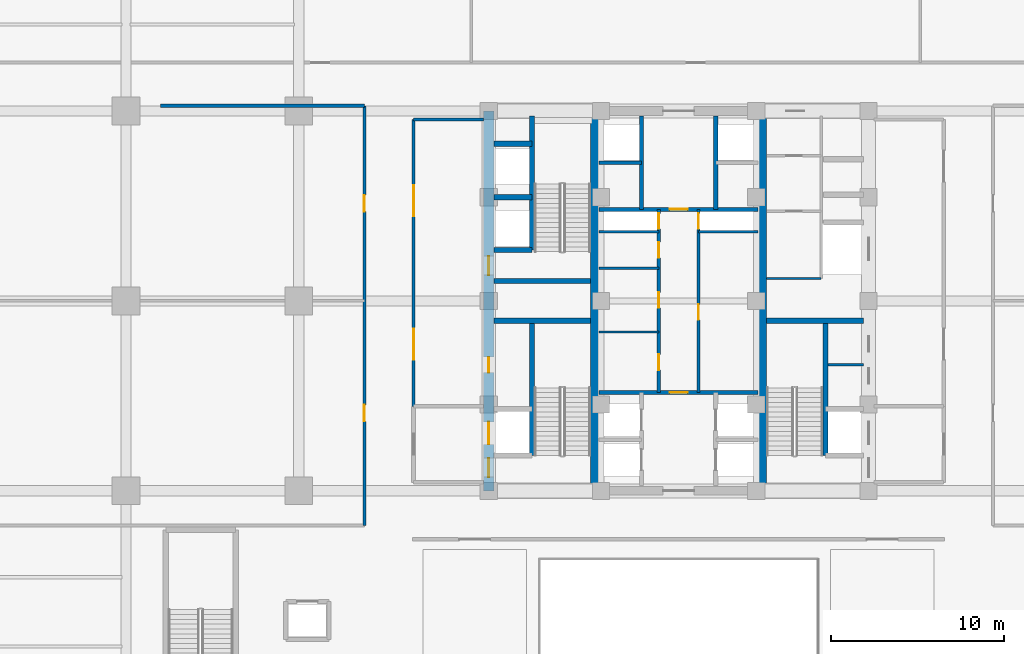
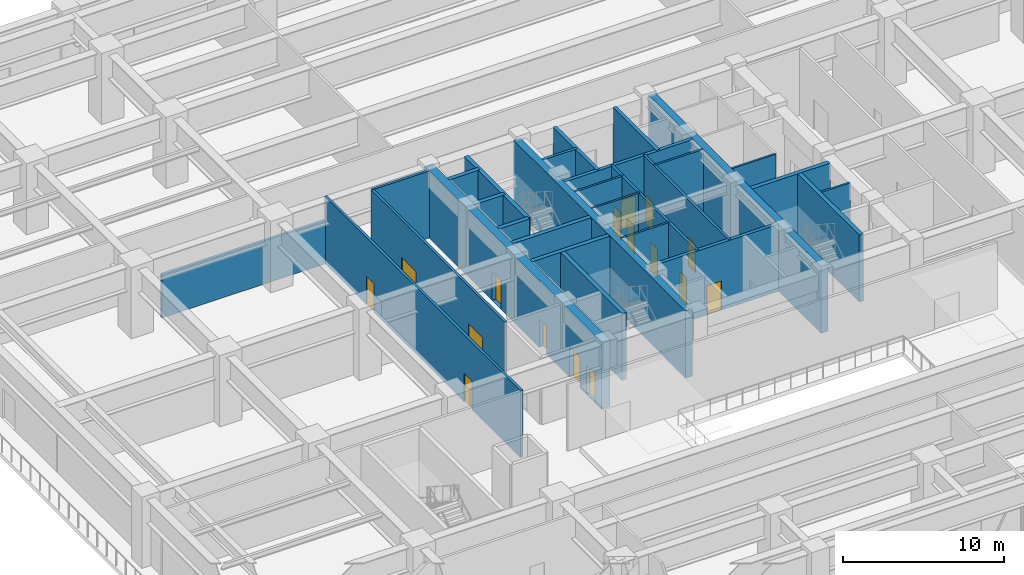
# One storey, part 17 of 28: 29 walls, 16 doors, 16 openings.
"""IFC4 building model written with IfcOpenShell, lengths in metres."""

from ifc_helpers import new_model, si_unit, direction, frame, frame_2d, origin, place, context, subcontext, project, spatial, rectangle, extrude, source, transform, mapped, material, layer, layer_set, type_object, element, fill, save


model = new_model("IFC4")

# Units and contexts
model_context = context("Model", 3, precision=1e-05, world=origin(), true_north=direction((0.0, 1.0)))
body_context = subcontext(model_context, "Body", "Model", "MODEL_VIEW")
ifc_project = project(units=[si_unit("LENGTHUNIT", "METRE"), si_unit("AREAUNIT", "SQUARE_METRE"), si_unit("VOLUMEUNIT", "CUBIC_METRE"), si_unit("PLANEANGLEUNIT", "RADIAN"), si_unit("MASSUNIT", "GRAM", prefix="KILO")], contexts=[model_context])

# Site, building, storey
site_placement = place(None, origin())
site = spatial("IfcSite", under=ifc_project, at=site_placement, CompositionType="ELEMENT")
building_placement = place(site_placement, origin())
building = spatial("IfcBuilding", under=site, at=building_placement, Name="Khorayat Bourse Tower", CompositionType="ELEMENT")
storey_placement = place(building_placement, frame((0.0, 0.0, 6.60009765625)))
storey = spatial("IfcBuildingStorey", under=building, at=storey_placement, Name="L01", CompositionType="ELEMENT", Elevation=6.60009765625)

# Wall, openings, doors
ifc_material_1 = material(Name="Concrete C60/75", Category="concrete")
ifc_layer_1 = layer(ifc_material_1, 0.60009765625)
ifc_layer_set_1 = layer_set([ifc_layer_1], Name="Concrete C60/75")
wall_type_1 = type_object("IfcWallType", Name="WAL-CORE-600", PredefinedType="SHEAR", material=ifc_layer_set_1)
shared_shape_1 = source(origin(), body_context, "Body", "SweptSolid", [
    extrude(rectangle(XDim=22.0, YDim=0.60009765625, at=frame_2d((11.0, 0.0))), origin(), (0.0, 0.0, 1.0), 5.079833984375),
])
wall_1_placement = place(storey_placement, frame((-11.0, -11.0, 0.0), z_axis=(0.0, 0.0, 1.0), x_axis=(0.0, 1.0, 0.0)))
wall_1 = element("IfcWall", 1, at=wall_1_placement, inside=storey, type_object=wall_type_1, Name="L01 Core Shear Wall CORE-W", PredefinedType="SHEAR", context=body_context, shape_type="MappedRepresentation", body=[
    mapped(shared_shape_1, transform((0.0, 0.0, 0.0), scale=1.0)),
])
shared_shape_2 = source(origin(), body_context, "Body", "SweptSolid", [
    extrude(rectangle(XDim=1.10009765625, YDim=2.199951171875, at=frame_2d((0.550048828125, 1.10009765625))), frame((0.0, 0.31005859375, 0.0), z_axis=(0.0, -1.0, 0.0), x_axis=(1.0, 0.0, 0.0)), (0.0, 0.0, 1.0), 0.6201171875),
])
opening_1_placement = place(wall_1_placement, frame((0.800048828125, 0.0, 0.0)))
opening_1 = element("IfcOpeningElement", 2, at=opening_1_placement, cuts=wall_1, Name="Opening DI-01", PredefinedType="OPENING", context=body_context, shape_type="MappedRepresentation", body=[
    mapped(shared_shape_2, transform((0.0, 0.0, 0.0), scale=1.0)),
])
opening_2_placement = place(wall_1_placement, frame((12.5, 0.0, 0.0)))
opening_2 = element("IfcOpeningElement", 3, at=opening_2_placement, cuts=wall_1, Name="Opening DI-01", PredefinedType="OPENING", context=body_context, shape_type="MappedRepresentation", body=[
    mapped(shared_shape_2, transform((0.0, 0.0, 0.0), scale=1.0)),
])
shared_shape_3 = source(origin(), body_context, "Body", "SweptSolid", [
    extrude(rectangle(XDim=0.89990234375, YDim=2.14990234375, at=frame_2d((0.449951171875, 1.074951171875))), frame((0.0, 0.31005859375, 0.0), z_axis=(0.0, -1.0, 0.0), x_axis=(1.0, 0.0, 0.0)), (0.0, 0.0, 1.0), 0.6201171875),
])
opening_3_placement = place(wall_1_placement, frame((6.85009765625, 0.0, 0.0)))
opening_3 = element("IfcOpeningElement", 4, at=opening_3_placement, cuts=wall_1, Name="Opening DI-06", PredefinedType="OPENING", context=body_context, shape_type="MappedRepresentation", body=[
    mapped(shared_shape_3, transform((0.0, 0.0, 0.0), scale=1.0)),
])
shared_shape_4 = source(origin(), body_context, "Body", "SweptSolid", [
    extrude(rectangle(XDim=1.300048828125, YDim=2.300048828125, at=frame_2d((0.64990234375, 1.14990234375))), frame((0.0, 0.31005859375, 0.0), z_axis=(0.0, -1.0, 0.0), x_axis=(1.0, 0.0, 0.0)), (0.0, 0.0, 1.0), 0.6201171875),
])
opening_4_placement = place(wall_1_placement, frame((2.699951171875, 0.0, 0.0)))
opening_4 = element("IfcOpeningElement", 5, at=opening_4_placement, cuts=wall_1, Name="Opening LD-02", PredefinedType="OPENING", context=body_context, shape_type="MappedRepresentation", body=[
    mapped(shared_shape_4, transform((0.0, 0.0, 0.0), scale=1.0)),
])
ifc_material_2 = material(Name="Fire-rated steel acoustic leaf", Category="steel")
door_type_1 = type_object("IfcDoorType", Name="DR-INT-STAIR-1100", OperationType="NOTDEFINED", PredefinedType="DOOR", material=ifc_material_2)
shared_shape_5 = source(origin(), body_context, "Body", "SweptSolid", [
    extrude(rectangle(XDim=1.10009765625, YDim=2.199951171875, at=frame_2d((0.550048828125, 1.10009765625))), frame((0.0, 0.02490234375, 0.0), z_axis=(0.0, -1.0, 0.0), x_axis=(1.0, 0.0, 0.0)), (0.0, 0.0, 1.0), 0.050048828125),
])
door_1_placement = place(opening_1_placement, origin())
door_1 = element("IfcDoor", 6, at=door_1_placement, inside=storey, type_object=door_type_1, Name="L01 Exit Stair 1 Door", OperationType="SINGLE_SWING_RIGHT", OverallHeight=2.199951171875, OverallWidth=1.10009765625, PredefinedType="DOOR", context=body_context, shape_type="MappedRepresentation", body=[
    mapped(shared_shape_5, transform((0.0, 0.0, 0.0), scale=1.0)),
])
fill(opening_1, door_1)
door_2_placement = place(opening_2_placement, origin())
door_2 = element("IfcDoor", 7, at=door_2_placement, inside=storey, type_object=door_type_1, Name="L01 Exit Stair 2 Door", OperationType="SINGLE_SWING_RIGHT", OverallHeight=2.199951171875, OverallWidth=1.10009765625, PredefinedType="DOOR", context=body_context, shape_type="MappedRepresentation", body=[
    mapped(shared_shape_5, transform((0.0, 0.0, 0.0), scale=1.0)),
])
fill(opening_2, door_2)
ifc_material_3 = material(Name="Moisture-resistant laminate washroom door")
door_type_2 = type_object("IfcDoorType", Name="DR-INT-WC-900", OperationType="NOTDEFINED", PredefinedType="DOOR", material=ifc_material_3)
shared_shape_6 = source(origin(), body_context, "Body", "SweptSolid", [
    extrude(rectangle(XDim=0.89990234375, YDim=2.14990234375, at=frame_2d((0.449951171875, 1.074951171875))), frame((0.0, 0.02490234375, 0.0), z_axis=(0.0, -1.0, 0.0), x_axis=(1.0, 0.0, 0.0)), (0.0, 0.0, 1.0), 0.050048828125),
])
door_3_placement = place(opening_3_placement, origin())
door_3 = element("IfcDoor", 8, at=door_3_placement, inside=storey, type_object=door_type_2, Name="L01 Electrical Switch Plant Room Door", OperationType="SINGLE_SWING_RIGHT", OverallHeight=2.14990234375, OverallWidth=0.89990234375, PredefinedType="DOOR", context=body_context, shape_type="MappedRepresentation", body=[
    mapped(shared_shape_6, transform((0.0, 0.0, 0.0), scale=1.0)),
])
fill(opening_3, door_3)
ifc_material_4 = material(Name="Fire-rated stainless-steel sliding landing door", Category="steel")
door_type_3 = type_object("IfcDoorType", Name="DR-LIFT-FF-1300", OperationType="NOTDEFINED", PredefinedType="DOOR", material=ifc_material_4)
shared_shape_7 = source(origin(), body_context, "Body", "SweptSolid", [
    extrude(rectangle(XDim=1.300048828125, YDim=2.300048828125, at=frame_2d((0.64990234375, 1.14990234375))), frame((0.0, 0.02490234375, 0.0), z_axis=(0.0, -1.0, 0.0), x_axis=(1.0, 0.0, 0.0)), (0.0, 0.0, 1.0), 0.050048828125),
])
door_4_placement = place(opening_4_placement, origin())
door_4 = element("IfcDoor", 9, at=door_4_placement, inside=storey, type_object=door_type_3, Name="L01 Lift FFL-01 Sliding Landing Door", OperationType="SLIDING_TO_LEFT", OverallHeight=2.300048828125, OverallWidth=1.300048828125, PredefinedType="DOOR", context=body_context, shape_type="MappedRepresentation", body=[
    mapped(shared_shape_7, transform((0.0, 0.0, 0.0), scale=1.0)),
])
fill(opening_4, door_4)

# Walls
ifc_material_5 = material(Name="Concrete C52/65", Category="concrete")
ifc_layer_2 = layer(ifc_material_5, 0.5)
ifc_layer_set_2 = layer_set([ifc_layer_2], Name="Concrete C52/65")
wall_type_2 = type_object("IfcWallType", Name="WAL-CORE-500", PredefinedType="SHEAR", material=ifc_layer_set_2)
shared_shape_8 = source(origin(), body_context, "Body", "SweptSolid", [
    extrude(rectangle(XDim=21.39990234375, YDim=0.5, at=frame_2d((10.699951171875, 0.0))), origin(), (0.0, 0.0, 1.0), 5.079833984375),
])
for number, where, z_axis, x_axis, name in (
    (10, (-4.85009765625, -10.699951171875, 0.0), (0.0, 0.0, 1.0), (0.0, 1.0, 0.0), "L01 Core Shear Wall PIER-W"),
    (11, (4.85009765625, -10.699951171875, 0.0), (0.0, 0.0, 1.0), (0.0, 1.0, 0.0), "L01 Core Shear Wall PIER-E"),
):
    element("IfcWall", number, at=place(storey_placement, frame(where, z_axis=z_axis, x_axis=x_axis)), inside=storey, type_object=wall_type_2, Name=name, PredefinedType="SHEAR", context=body_context, shape_type="MappedRepresentation", body=[
        mapped(shared_shape_8, transform((0.0, 0.0, 0.0), scale=1.0)),
    ])
ifc_material_6 = material(Name="Concrete C50/60", Category="concrete")
ifc_layer_3 = layer(ifc_material_6, 0.300048828125)
ifc_layer_set_3 = layer_set([ifc_layer_3], Name="Concrete C50/60")
wall_type_3 = type_object("IfcWallType", Name="WAL-SHAFT-300", PredefinedType="SHEAR", material=ifc_layer_set_3)
shared_shape_9 = source(origin(), body_context, "Body", "SweptSolid", [
    extrude(rectangle(XDim=5.599853515625, YDim=0.300048828125, at=frame_2d((2.7998046875, 0.0))), origin(), (0.0, 0.0, 1.0), 5.079833984375),
])
for number, where, z_axis, x_axis, name in (
    (12, (-10.699951171875, -1.14990234375, 0.0), (0.0, 0.0, 1.0), (1.0, 0.0, 0.0), "L01 Core Shear Wall ST1-DIV"),
    (13, (-10.699951171875, 1.14990234375, 0.0), (0.0, 0.0, 1.0), (1.0, 0.0, 0.0), "L01 Core Shear Wall ST2-DIV"),
    (14, (5.10009765625, -1.14990234375, 0.0), (0.0, 0.0, 1.0), (1.0, 0.0, 0.0), "L01 Core Shear Wall ST3-DIV"),
):
    element("IfcWall", number, at=place(storey_placement, frame(where, z_axis=z_axis, x_axis=x_axis)), inside=storey, type_object=wall_type_3, Name=name, PredefinedType="SHEAR", context=body_context, shape_type="MappedRepresentation", body=[
        mapped(shared_shape_9, transform((0.0, 0.0, 0.0), scale=1.0)),
    ])
shared_shape_10 = source(origin(), body_context, "Body", "SweptSolid", [
    extrude(rectangle(XDim=7.800048828125, YDim=0.300048828125, at=frame_2d((3.89990234375, 0.0))), origin(), (0.0, 0.0, 1.0), 5.079833984375),
])
for number, where, z_axis, x_axis, name in (
    (15, (-8.5, -8.949951171875, 0.0), (0.0, 0.0, 1.0), (0.0, 1.0, 0.0), "L01 Partition WAL-L01-WPIER-SP"),
    (16, (8.5, -8.949951171875, 0.0), (0.0, 0.0, 1.0), (0.0, 1.0, 0.0), "L01 Partition WAL-L01-EPIER-SP"),
):
    element("IfcWall", number, at=place(storey_placement, frame(where, z_axis=z_axis, x_axis=x_axis)), inside=storey, type_object=wall_type_3, Name=name, PredefinedType="SHEAR", context=body_context, shape_type="MappedRepresentation", body=[
        mapped(shared_shape_10, transform((0.0, 0.0, 0.0), scale=1.0)),
    ])
shared_shape_11 = source(origin(), body_context, "Body", "SweptSolid", [
    extrude(rectangle(XDim=2.199951171875, YDim=0.300048828125, at=frame_2d((1.10009765625, 0.0))), origin(), (0.0, 0.0, 1.0), 5.079833984375),
])
for number, where, z_axis, x_axis, name in (
    (17, (-10.699951171875, 2.949951171875, 0.0), (0.0, 0.0, 1.0), (1.0, 0.0, 0.0), "L01 Partition WAL-L01-WPIER-H1S"),
    (18, (-10.699951171875, 6.0, 0.0), (0.0, 0.0, 1.0), (1.0, 0.0, 0.0), "L01 Partition WAL-L01-WPIER-H12"),
    (19, (-10.699951171875, 9.10009765625, 0.0), (0.0, 0.0, 1.0), (1.0, 0.0, 0.0), "L01 Partition WAL-L01-WPIER-H2N"),
):
    element("IfcWall", number, at=place(storey_placement, frame(where, z_axis=z_axis, x_axis=x_axis)), inside=storey, type_object=wall_type_3, Name=name, PredefinedType="SHEAR", context=body_context, shape_type="MappedRepresentation", body=[
        mapped(shared_shape_11, transform((0.0, 0.0, 0.0), scale=1.0)),
    ])
shared_shape_12 = source(origin(), body_context, "Body", "SweptSolid", [
    extrude(rectangle(XDim=7.75, YDim=0.300048828125, at=frame_2d((3.875, 0.0))), origin(), (0.0, 0.0, 1.0), 5.079833984375),
])
wall_2_placement = place(storey_placement, frame((-8.5, 2.949951171875, 0.0), z_axis=(0.0, 0.0, 1.0), x_axis=(0.0, 1.0, 0.0)))
element("IfcWall", 20, at=wall_2_placement, inside=storey, type_object=wall_type_3, Name="L01 Partition WAL-L01-WPIER-ST2S", PredefinedType="SHEAR", context=body_context, shape_type="MappedRepresentation", body=[
    mapped(shared_shape_12, transform((0.0, 0.0, 0.0), scale=1.0)),
])
ifc_material_7 = material(Name="Gypsum plasterboard twin-frame partition")
ifc_layer_4 = layer(ifc_material_7, 0.14990234375)
ifc_layer_set_4 = layer_set([ifc_layer_4], Name="Gypsum plasterboard twin-frame partition")
wall_type_4 = type_object("IfcWallType", Name="WAL-PART-SUITE-150", PredefinedType="PARTITIONING", material=ifc_layer_set_4)
shared_shape_13 = source(origin(), body_context, "Body", "SweptSolid", [
    extrude(rectangle(XDim=2.050048828125, YDim=0.14990234375, at=frame_2d((1.02490234375, 0.0))), origin(), (0.0, 0.0, 1.0), 5.079833984375),
])
wall_3_placement = place(storey_placement, frame((8.64990234375, -3.699951171875, 0.0), z_axis=(0.0, 0.0, 1.0), x_axis=(1.0, 0.0, 0.0)))
element("IfcWall", 21, at=wall_3_placement, inside=storey, type_object=wall_type_4, Name="L01 Partition WAL-L01-ESRV-D1", PredefinedType="PARTITIONING", context=body_context, shape_type="MappedRepresentation", body=[
    mapped(shared_shape_13, transform((0.0, 0.0, 0.0), scale=1.0)),
])
ifc_material_8 = material(Name="Moisture-resistant masonry partition", Category="masonry")
ifc_layer_5 = layer(ifc_material_8, 0.139892578125)
ifc_layer_set_5 = layer_set([ifc_layer_5], Name="Moisture-resistant masonry partition")
wall_type_5 = type_object("IfcWallType", Name="WAL-PART-WET-140", PredefinedType="PARTITIONING", material=ifc_layer_set_5)
shared_shape_14 = source(origin(), body_context, "Body", "SweptSolid", [
    extrude(rectangle(XDim=3.14990234375, YDim=0.139892578125, at=frame_2d((1.574951171875, 0.0))), origin(), (0.0, 0.0, 1.0), 5.079833984375),
])
wall_4_placement = place(storey_placement, frame((5.10009765625, 1.300048828125, 0.0), z_axis=(0.0, 0.0, 1.0), x_axis=(1.0, 0.0, 0.0)))
element("IfcWall", 22, at=wall_4_placement, inside=storey, type_object=wall_type_5, Name="L01 Partition WAL-L01-ECORE-S", PredefinedType="PARTITIONING", context=body_context, shape_type="MappedRepresentation", body=[
    mapped(shared_shape_14, transform((0.0, 0.0, 0.0), scale=1.0)),
])
ifc_material_9 = material(Name="Gypsum plasterboard acoustic stud wall")
ifc_layer_6 = layer(ifc_material_9, 0.179931640625)
ifc_layer_set_6 = layer_set([ifc_layer_6], Name="Gypsum plasterboard acoustic stud wall")
wall_type_6 = type_object("IfcWallType", Name="WAL-PART-CORR-180", PredefinedType="PARTITIONING", material=ifc_layer_set_6)
shared_shape_15 = source(origin(), body_context, "Body", "SweptSolid", [
    extrude(rectangle(XDim=4.050048828125, YDim=0.179931640625, at=frame_2d((2.02490234375, 0.0))), origin(), (0.0, 0.0, 1.0), 5.079833984375),
])
wall_5_placement = place(storey_placement, frame((-15.35009765625, 10.5, 0.0), z_axis=(0.0, 0.0, 1.0), x_axis=(1.0, 0.0, 0.0)))
element("IfcWall", 23, at=wall_5_placement, inside=storey, type_object=wall_type_6, Name="L01 Partition WAL-L01-WLOB-N", PredefinedType="PARTITIONING", context=body_context, shape_type="MappedRepresentation", body=[
    mapped(shared_shape_15, transform((0.0, 0.0, 0.0), scale=1.0)),
])

# Wall, openings, doors
shared_shape_16 = source(origin(), body_context, "Body", "SweptSolid", [
    extrude(rectangle(XDim=16.60009765625, YDim=0.179931640625, at=frame_2d((8.300048828125, 0.0))), origin(), (0.0, 0.0, 1.0), 5.079833984375),
])
wall_6_placement = place(storey_placement, frame((-15.35009765625, -6.10009765625, 0.0), z_axis=(0.0, 0.0, 1.0), x_axis=(0.0, 1.0, 0.0)))
wall_6 = element("IfcWall", 24, at=wall_6_placement, inside=storey, type_object=wall_type_6, Name="L01 Partition WAL-L01-WLOB-W", PredefinedType="PARTITIONING", context=body_context, shape_type="MappedRepresentation", body=[
    mapped(shared_shape_16, transform((0.0, 0.0, 0.0), scale=1.0)),
])
shared_shape_17 = source(origin(), body_context, "Body", "SweptSolid", [
    extrude(rectangle(XDim=1.800048828125, YDim=2.25, at=frame_2d((0.89990234375, 1.125))), frame((0.0, 0.099853515625, 0.0), z_axis=(0.0, -1.0, 0.0), x_axis=(1.0, 0.0, 0.0)), (0.0, 0.0, 1.0), 0.199951171875),
])
opening_5_placement = place(wall_6_placement, frame((2.699951171875, 0.0, 0.0)))
opening_5 = element("IfcOpeningElement", 25, at=opening_5_placement, cuts=wall_6, Name="Opening DI-03", PredefinedType="OPENING", context=body_context, shape_type="MappedRepresentation", body=[
    mapped(shared_shape_17, transform((0.0, 0.0, 0.0), scale=1.0)),
])
opening_6_placement = place(wall_6_placement, frame((11.0, 0.0, 0.0)))
opening_6 = element("IfcOpeningElement", 26, at=opening_6_placement, cuts=wall_6, Name="Opening DI-03", PredefinedType="OPENING", context=body_context, shape_type="MappedRepresentation", body=[
    mapped(shared_shape_17, transform((0.0, 0.0, 0.0), scale=1.0)),
])
ifc_material_10 = material(Name="Fire-rated hardwood vision-panel double leaf", Category="wood")
door_type_4 = type_object("IfcDoorType", Name="DR-INT-CORR-1800", OperationType="NOTDEFINED", PredefinedType="DOOR", material=ifc_material_10)
shared_shape_18 = source(origin(), body_context, "Body", "SweptSolid", [
    extrude(rectangle(XDim=1.800048828125, YDim=2.25, at=frame_2d((0.89990234375, 1.125))), frame((0.0, 0.02490234375, 0.0), z_axis=(0.0, -1.0, 0.0), x_axis=(1.0, 0.0, 0.0)), (0.0, 0.0, 1.0), 0.050048828125),
])
door_5_placement = place(opening_5_placement, origin())
door_5 = element("IfcDoor", 27, at=door_5_placement, inside=storey, type_object=door_type_4, Name="L01 West Core Lobby South Door", OperationType="SINGLE_SWING_LEFT", OverallHeight=2.25, OverallWidth=1.800048828125, PredefinedType="DOOR", context=body_context, shape_type="MappedRepresentation", body=[
    mapped(shared_shape_18, transform((0.0, 0.0, 0.0), scale=1.0)),
])
fill(opening_5, door_5)
door_6_placement = place(opening_6_placement, origin())
door_6 = element("IfcDoor", 28, at=door_6_placement, inside=storey, type_object=door_type_4, Name="L01 West Core Lobby North Door", OperationType="SINGLE_SWING_RIGHT", OverallHeight=2.25, OverallWidth=1.800048828125, PredefinedType="DOOR", context=body_context, shape_type="MappedRepresentation", body=[
    mapped(shared_shape_18, transform((0.0, 0.0, 0.0), scale=1.0)),
])
fill(opening_6, door_6)

# Walls
shared_shape_19 = source(origin(), body_context, "Body", "SweptSolid", [
    extrude(rectangle(XDim=3.4501953125, YDim=0.14990234375, at=frame_2d((1.72509765625, 0.0))), origin(), (0.0, 0.0, 1.0), 5.079833984375),
])
for number, where, z_axis, x_axis, name in (
    (29, (-4.60009765625, 4.0, 0.0), (0.0, 0.0, 1.0), (1.0, 0.0, 0.0), "L01 Partition WAL-L01-CRSW-S"),
    (30, (1.14990234375, 4.0, 0.0), (0.0, 0.0, 1.0), (1.0, 0.0, 0.0), "L01 Partition WAL-L01-CRSE-S"),
):
    element("IfcWall", number, at=place(storey_placement, frame(where, z_axis=z_axis, x_axis=x_axis)), inside=storey, type_object=wall_type_4, Name=name, PredefinedType="PARTITIONING", context=body_context, shape_type="MappedRepresentation", body=[
        mapped(shared_shape_19, transform((0.0, 0.0, 0.0), scale=1.0)),
    ])
shared_shape_20 = source(origin(), body_context, "Body", "SweptSolid", [
    extrude(rectangle(XDim=5.39990234375, YDim=0.25, at=frame_2d((2.699951171875, 0.0))), origin(), (0.0, 0.0, 1.0), 5.079833984375),
])
for number, where, z_axis, x_axis, name in (
    (31, (-2.14990234375, 5.300048828125, 0.0), (0.0, 0.0, 1.0), (0.0, 1.0, 0.0), "L01 Partition WAL-L01-B2-W"),
    (32, (2.14990234375, 5.300048828125, 0.0), (0.0, 0.0, 1.0), (0.0, 1.0, 0.0), "L01 Partition WAL-L01-B2-E"),
):
    element("IfcWall", number, at=place(storey_placement, frame(where, z_axis=z_axis, x_axis=x_axis)), inside=storey, type_object=wall_type_3, Name=name, PredefinedType="SHEAR", context=body_context, shape_type="MappedRepresentation", body=[
        mapped(shared_shape_20, transform((0.0, 0.0, 0.0), scale=1.0)),
    ])
shared_shape_21 = source(origin(), body_context, "Body", "SweptSolid", [
    extrude(rectangle(XDim=2.4501953125, YDim=0.199951171875, at=frame_2d((1.22509765625, 0.0))), origin(), (0.0, 0.0, 1.0), 5.079833984375),
])
wall_7_placement = place(storey_placement, frame((-4.60009765625, 8.0, 0.0), z_axis=(0.0, 0.0, 1.0), x_axis=(1.0, 0.0, 0.0)))
element("IfcWall", 33, at=wall_7_placement, inside=storey, type_object=wall_type_3, Name="L01 Partition WAL-L01-B2-MW", PredefinedType="SHEAR", context=body_context, shape_type="MappedRepresentation", body=[
    mapped(shared_shape_21, transform((0.0, 0.0, 0.0), scale=1.0)),
])

# Wall, opening, door
shared_shape_22 = source(origin(), body_context, "Body", "SweptSolid", [
    extrude(rectangle(XDim=9.2001953125, YDim=0.25, at=frame_2d((4.60009765625, 0.0))), origin(), (0.0, 0.0, 1.0), 5.079833984375),
])
wall_8_placement = place(storey_placement, frame((-4.60009765625, -5.300048828125, 0.0), z_axis=(0.0, 0.0, 1.0), x_axis=(1.0, 0.0, 0.0)))
wall_8 = element("IfcWall", 34, at=wall_8_placement, inside=storey, type_object=wall_type_3, Name="L01 Partition WAL-L01-B1-N", PredefinedType="SHEAR", context=body_context, shape_type="MappedRepresentation", body=[
    mapped(shared_shape_22, transform((0.0, 0.0, 0.0), scale=1.0)),
])
shared_shape_23 = source(origin(), body_context, "Body", "SweptSolid", [
    extrude(rectangle(XDim=1.050048828125, YDim=2.199951171875, at=frame_2d((0.52490234375, 1.10009765625))), frame((0.0, 0.135009765625, 0.0), z_axis=(0.0, -1.0, 0.0), x_axis=(1.0, 0.0, 0.0)), (0.0, 0.0, 1.0), 0.27001953125),
])
opening_7_placement = place(wall_8_placement, frame((4.074951171875, 0.0, 0.0)))
opening_7 = element("IfcOpeningElement", 35, at=opening_7_placement, cuts=wall_8, Name="Opening DI-04", PredefinedType="OPENING", context=body_context, shape_type="MappedRepresentation", body=[
    mapped(shared_shape_23, transform((0.0, 0.0, 0.0), scale=1.0)),
])
ifc_material_11 = material(Name="Fire-rated oak veneer suite entrance door")
door_type_5 = type_object("IfcDoorType", Name="DR-INT-SUITE-1050", OperationType="NOTDEFINED", PredefinedType="DOOR", material=ifc_material_11)
shared_shape_24 = source(origin(), body_context, "Body", "SweptSolid", [
    extrude(rectangle(XDim=1.050048828125, YDim=2.199951171875, at=frame_2d((0.52490234375, 1.10009765625))), frame((0.0, 0.02490234375, 0.0), z_axis=(0.0, -1.0, 0.0), x_axis=(1.0, 0.0, 0.0)), (0.0, 0.0, 1.0), 0.050048828125),
])
door_7_placement = place(opening_7_placement, origin())
door_7 = element("IfcDoor", 36, at=door_7_placement, inside=storey, type_object=door_type_5, Name="L01 Core Spine South Door", OperationType="SINGLE_SWING_LEFT", OverallHeight=2.199951171875, OverallWidth=1.050048828125, PredefinedType="DOOR", context=body_context, shape_type="MappedRepresentation", body=[
    mapped(shared_shape_24, transform((0.0, 0.0, 0.0), scale=1.0)),
])
fill(opening_7, door_7)

wall_9_placement = place(storey_placement, frame((-4.60009765625, 5.300048828125, 0.0), z_axis=(0.0, 0.0, 1.0), x_axis=(1.0, 0.0, 0.0)))
wall_9 = element("IfcWall", 37, at=wall_9_placement, inside=storey, type_object=wall_type_3, Name="L01 Partition WAL-L01-B2-S", PredefinedType="SHEAR", context=body_context, shape_type="MappedRepresentation", body=[
    mapped(shared_shape_22, transform((0.0, 0.0, 0.0), scale=1.0)),
])
opening_8_placement = place(wall_9_placement, frame((4.074951171875, 0.0, 0.0)))
opening_8 = element("IfcOpeningElement", 38, at=opening_8_placement, cuts=wall_9, Name="Opening DI-04", PredefinedType="OPENING", context=body_context, shape_type="MappedRepresentation", body=[
    mapped(shared_shape_23, transform((0.0, 0.0, 0.0), scale=1.0)),
])
door_8_placement = place(opening_8_placement, origin())
door_8 = element("IfcDoor", 39, at=door_8_placement, inside=storey, type_object=door_type_5, Name="L01 Core Spine North Door", OperationType="SINGLE_SWING_RIGHT", OverallHeight=2.199951171875, OverallWidth=1.050048828125, PredefinedType="DOOR", context=body_context, shape_type="MappedRepresentation", body=[
    mapped(shared_shape_24, transform((0.0, 0.0, 0.0), scale=1.0)),
])
fill(opening_8, door_8)

# Walls
shared_shape_25 = source(origin(), body_context, "Body", "SweptSolid", [
    extrude(rectangle(XDim=3.4501953125, YDim=0.139892578125, at=frame_2d((1.72509765625, 0.0))), origin(), (0.0, 0.0, 1.0), 5.079833984375),
])
for number, where, z_axis, x_axis, name in (
    (40, (-4.60009765625, -1.800048828125, 0.0), (0.0, 0.0, 1.0), (1.0, 0.0, 0.0), "L01 Partition WAL-L01-CMW-D1"),
    (41, (-4.60009765625, 1.89990234375, 0.0), (0.0, 0.0, 1.0), (1.0, 0.0, 0.0), "L01 Partition WAL-L01-CMW-D2"),
):
    element("IfcWall", number, at=place(storey_placement, frame(where, z_axis=z_axis, x_axis=x_axis)), inside=storey, type_object=wall_type_5, Name=name, PredefinedType="PARTITIONING", context=body_context, shape_type="MappedRepresentation", body=[
        mapped(shared_shape_25, transform((0.0, 0.0, 0.0), scale=1.0)),
    ])

# Wall, openings, doors
shared_shape_26 = source(origin(), body_context, "Body", "SweptSolid", [
    extrude(rectangle(XDim=10.60009765625, YDim=0.179931640625, at=frame_2d((5.300048828125, 0.0))), origin(), (0.0, 0.0, 1.0), 5.079833984375),
])
wall_10_placement = place(storey_placement, frame((-1.14990234375, -5.300048828125, 0.0), z_axis=(0.0, 0.0, 1.0), x_axis=(0.0, 1.0, 0.0)))
wall_10 = element("IfcWall", 42, at=wall_10_placement, inside=storey, type_object=wall_type_6, Name="L01 Partition WAL-L01-CMW-L", PredefinedType="PARTITIONING", context=body_context, shape_type="MappedRepresentation", body=[
    mapped(shared_shape_26, transform((0.0, 0.0, 0.0), scale=1.0)),
])
shared_shape_27 = source(origin(), body_context, "Body", "SweptSolid", [
    extrude(rectangle(XDim=0.89990234375, YDim=2.14990234375, at=frame_2d((0.449951171875, 1.074951171875))), frame((0.0, 0.099853515625, 0.0), z_axis=(0.0, -1.0, 0.0), x_axis=(1.0, 0.0, 0.0)), (0.0, 0.0, 1.0), 0.199951171875),
])
opening_9_placement = place(wall_10_placement, frame((1.300048828125, 0.0, 0.0)))
opening_9 = element("IfcOpeningElement", 43, at=opening_9_placement, cuts=wall_10, Name="Opening DI-06", PredefinedType="OPENING", context=body_context, shape_type="MappedRepresentation", body=[
    mapped(shared_shape_27, transform((0.0, 0.0, 0.0), scale=1.0)),
])
opening_10_placement = place(wall_10_placement, frame((4.89990234375, 0.0, 0.0)))
opening_10 = element("IfcOpeningElement", 44, at=opening_10_placement, cuts=wall_10, Name="Opening DI-06", PredefinedType="OPENING", context=body_context, shape_type="MappedRepresentation", body=[
    mapped(shared_shape_27, transform((0.0, 0.0, 0.0), scale=1.0)),
])
opening_11_placement = place(wall_10_placement, frame((7.800048828125, 0.0, 0.0)))
opening_11 = element("IfcOpeningElement", 45, at=opening_11_placement, cuts=wall_10, Name="Opening DI-06", PredefinedType="OPENING", context=body_context, shape_type="MappedRepresentation", body=[
    mapped(shared_shape_27, transform((0.0, 0.0, 0.0), scale=1.0)),
])
opening_12_placement = place(wall_10_placement, frame((9.47509765625, 0.0, 0.0)))
opening_12 = element("IfcOpeningElement", 46, at=opening_12_placement, cuts=wall_10, Name="Opening DI-06", PredefinedType="OPENING", context=body_context, shape_type="MappedRepresentation", body=[
    mapped(shared_shape_27, transform((0.0, 0.0, 0.0), scale=1.0)),
])
door_9_placement = place(opening_9_placement, origin())
door_9 = element("IfcDoor", 47, at=door_9_placement, inside=storey, type_object=door_type_2, Name="L01 Male Core Washroom Door", OperationType="SINGLE_SWING_RIGHT", OverallHeight=2.14990234375, OverallWidth=0.89990234375, PredefinedType="DOOR", context=body_context, shape_type="MappedRepresentation", body=[
    mapped(shared_shape_6, transform((0.0, 0.0, 0.0), scale=1.0)),
])
fill(opening_9, door_9)
door_10_placement = place(opening_10_placement, origin())
door_10 = element("IfcDoor", 48, at=door_10_placement, inside=storey, type_object=door_type_2, Name="L01 AHU Fan Plant Room Door", OperationType="SINGLE_SWING_LEFT", OverallHeight=2.14990234375, OverallWidth=0.89990234375, PredefinedType="DOOR", context=body_context, shape_type="MappedRepresentation", body=[
    mapped(shared_shape_6, transform((0.0, 0.0, 0.0), scale=1.0)),
])
fill(opening_10, door_10)
door_11_placement = place(opening_11_placement, origin())
door_11 = element("IfcDoor", 49, at=door_11_placement, inside=storey, type_object=door_type_2, Name="L01 Janitor Store Door", OperationType="SINGLE_SWING_RIGHT", OverallHeight=2.14990234375, OverallWidth=0.89990234375, PredefinedType="DOOR", context=body_context, shape_type="MappedRepresentation", body=[
    mapped(shared_shape_6, transform((0.0, 0.0, 0.0), scale=1.0)),
])
fill(opening_11, door_11)
door_12_placement = place(opening_12_placement, origin())
door_12 = element("IfcDoor", 50, at=door_12_placement, inside=storey, type_object=door_type_2, Name="L01 West Core Riser Door", OperationType="SINGLE_SWING_LEFT", OverallHeight=2.14990234375, OverallWidth=0.89990234375, PredefinedType="DOOR", context=body_context, shape_type="MappedRepresentation", body=[
    mapped(shared_shape_6, transform((0.0, 0.0, 0.0), scale=1.0)),
])
fill(opening_12, door_12)

wall_11_placement = place(storey_placement, frame((1.14990234375, -5.300048828125, 0.0), z_axis=(0.0, 0.0, 1.0), x_axis=(0.0, 1.0, 0.0)))
wall_11 = element("IfcWall", 51, at=wall_11_placement, inside=storey, type_object=wall_type_6, Name="L01 Partition WAL-L01-CME-L", PredefinedType="PARTITIONING", context=body_context, shape_type="MappedRepresentation", body=[
    mapped(shared_shape_26, transform((0.0, 0.0, 0.0), scale=1.0)),
])
opening_13_placement = place(wall_11_placement, frame((4.199951171875, 0.0, 0.0)))
opening_13 = element("IfcOpeningElement", 52, at=opening_13_placement, cuts=wall_11, Name="Opening DI-06", PredefinedType="OPENING", context=body_context, shape_type="MappedRepresentation", body=[
    mapped(shared_shape_27, transform((0.0, 0.0, 0.0), scale=1.0)),
])
opening_14_placement = place(wall_11_placement, frame((9.47509765625, 0.0, 0.0)))
opening_14 = element("IfcOpeningElement", 53, at=opening_14_placement, cuts=wall_11, Name="Opening DI-06", PredefinedType="OPENING", context=body_context, shape_type="MappedRepresentation", body=[
    mapped(shared_shape_27, transform((0.0, 0.0, 0.0), scale=1.0)),
])
door_13_placement = place(opening_13_placement, origin())
door_13 = element("IfcDoor", 54, at=door_13_placement, inside=storey, type_object=door_type_2, Name="L01 Female Core Washroom Door", OperationType="SINGLE_SWING_RIGHT", OverallHeight=2.14990234375, OverallWidth=0.89990234375, PredefinedType="DOOR", context=body_context, shape_type="MappedRepresentation", body=[
    mapped(shared_shape_6, transform((0.0, 0.0, 0.0), scale=1.0)),
])
fill(opening_13, door_13)
door_14_placement = place(opening_14_placement, origin())
door_14 = element("IfcDoor", 55, at=door_14_placement, inside=storey, type_object=door_type_2, Name="L01 East Core Riser Door", OperationType="SINGLE_SWING_RIGHT", OverallHeight=2.14990234375, OverallWidth=0.89990234375, PredefinedType="DOOR", context=body_context, shape_type="MappedRepresentation", body=[
    mapped(shared_shape_6, transform((0.0, 0.0, 0.0), scale=1.0)),
])
fill(opening_14, door_14)

# Wall
shared_shape_28 = source(origin(), body_context, "Body", "SweptSolid", [
    extrude(rectangle(XDim=11.800048828125, YDim=0.179931640625, at=frame_2d((5.89990234375, 0.0))), origin(), (0.0, 0.0, 1.0), 3.27978515625),
])
wall_12_placement = place(storey_placement, frame((-30.0, 11.300048828125, 0.0), z_axis=(0.0, 0.0, 1.0), x_axis=(1.0, 0.0, 0.0)))
element("IfcWall", 56, at=wall_12_placement, inside=storey, type_object=wall_type_6, Name="L01 Partition WAL-L01-PCORRN-SW", PredefinedType="PARTITIONING", context=body_context, shape_type="MappedRepresentation", body=[
    mapped(shared_shape_28, transform((0.0, 0.0, 0.0), scale=1.0)),
])

# Wall, openings, doors
shared_shape_29 = source(origin(), body_context, "Body", "SweptSolid", [
    extrude(rectangle(XDim=24.300048828125, YDim=0.179931640625, at=frame_2d((12.14990234375, 0.0))), origin(), (0.0, 0.0, 1.0), 5.079833984375),
])
wall_13_placement = place(storey_placement, frame((-18.199951171875, -13.0, 0.0), z_axis=(0.0, 0.0, 1.0), x_axis=(0.0, 1.0, 0.0)))
wall_13 = element("IfcWall", 57, at=wall_13_placement, inside=storey, type_object=wall_type_6, Name="L01 Partition WAL-L01-PCORRW-W", PredefinedType="PARTITIONING", context=body_context, shape_type="MappedRepresentation", body=[
    mapped(shared_shape_29, transform((0.0, 0.0, 0.0), scale=1.0)),
])
shared_shape_30 = source(origin(), body_context, "Body", "SweptSolid", [
    extrude(rectangle(XDim=0.949951171875, YDim=2.14990234375, at=frame_2d((0.47509765625, 1.074951171875))), frame((0.0, 0.099853515625, 0.0), z_axis=(0.0, -1.0, 0.0), x_axis=(1.0, 0.0, 0.0)), (0.0, 0.0, 1.0), 0.199951171875),
])
opening_15_placement = place(wall_13_placement, frame((6.02490234375, 0.0, 0.0)))
opening_15 = element("IfcOpeningElement", 58, at=opening_15_placement, cuts=wall_13, Name="Opening DI-05", PredefinedType="OPENING", context=body_context, shape_type="MappedRepresentation", body=[
    mapped(shared_shape_30, transform((0.0, 0.0, 0.0), scale=1.0)),
])
opening_16_placement = place(wall_13_placement, frame((18.175048828125, 0.0, 0.0)))
opening_16 = element("IfcOpeningElement", 59, at=opening_16_placement, cuts=wall_13, Name="Opening DI-05", PredefinedType="OPENING", context=body_context, shape_type="MappedRepresentation", body=[
    mapped(shared_shape_30, transform((0.0, 0.0, 0.0), scale=1.0)),
])
ifc_material_12 = material(Name="Acoustic oak veneer office door")
door_type_6 = type_object("IfcDoorType", Name="DR-INT-OFFICE-950", OperationType="NOTDEFINED", PredefinedType="DOOR", material=ifc_material_12)
shared_shape_31 = source(origin(), body_context, "Body", "SweptSolid", [
    extrude(rectangle(XDim=0.949951171875, YDim=2.14990234375, at=frame_2d((0.47509765625, 1.074951171875))), frame((0.0, 0.02490234375, 0.0), z_axis=(0.0, -1.0, 0.0), x_axis=(1.0, 0.0, 0.0)), (0.0, 0.0, 1.0), 0.050048828125),
])
door_15_placement = place(opening_15_placement, origin())
door_15 = element("IfcDoor", 60, at=door_15_placement, inside=storey, type_object=door_type_6, Name="L01 Public Washrooms Block Door", OperationType="SINGLE_SWING_RIGHT", OverallHeight=2.14990234375, OverallWidth=0.949951171875, PredefinedType="DOOR", context=body_context, shape_type="MappedRepresentation", body=[
    mapped(shared_shape_31, transform((0.0, 0.0, 0.0), scale=1.0)),
])
fill(opening_15, door_15)
door_16_placement = place(opening_16_placement, origin())
door_16 = element("IfcDoor", 61, at=door_16_placement, inside=storey, type_object=door_type_6, Name="L01 Client Briefing Room Door", OperationType="SINGLE_SWING_LEFT", OverallHeight=2.14990234375, OverallWidth=0.949951171875, PredefinedType="DOOR", context=body_context, shape_type="MappedRepresentation", body=[
    mapped(shared_shape_31, transform((0.0, 0.0, 0.0), scale=1.0)),
])
fill(opening_16, door_16)

save(model, "model.ifc")
